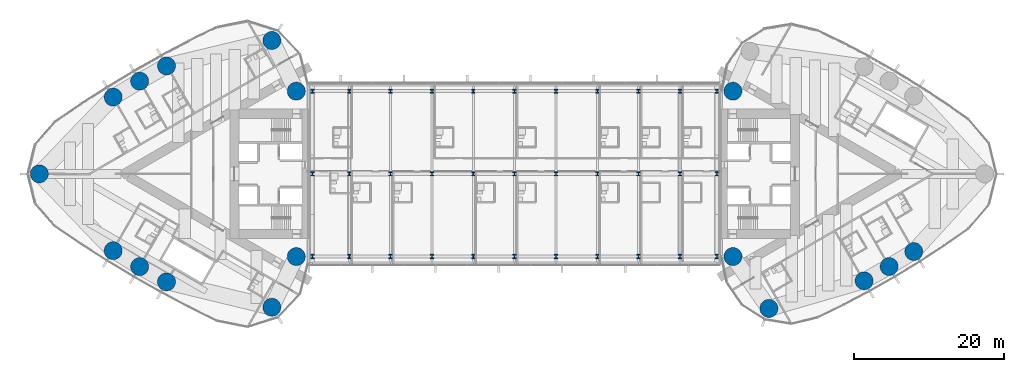
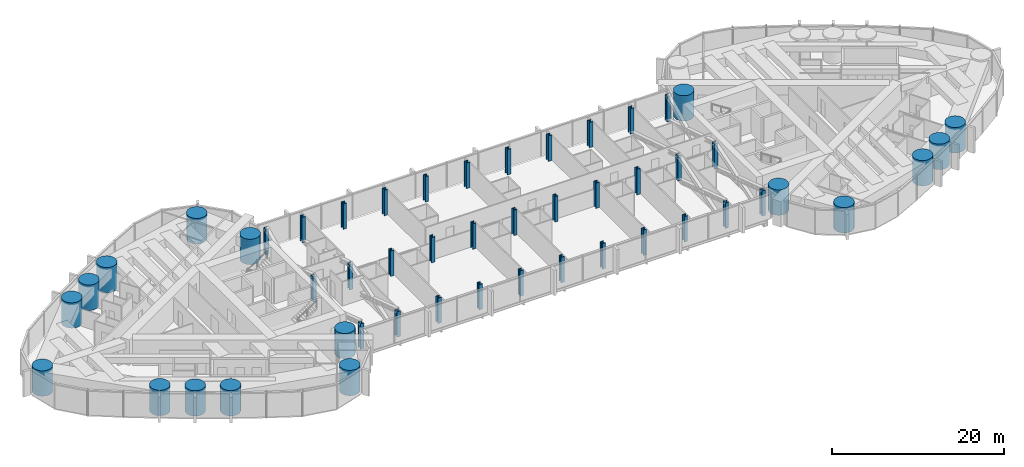
# One storey, part 1 of 23: 50 columns.
"""IFC4 building model written with IfcOpenShell, lengths in metres."""

from ifc_helpers import new_model, si_unit, direction, frame, origin, origin_2d, place, context, subcontext, project, spatial, circle, i_section, extrude, material, material_profile, profile_set, type_object, element, save


model = new_model("IFC4")

# Units and contexts
model_context = context("Model", 3, precision=1e-05, world=origin(), true_north=direction((0.0, 1.0)))
body_context = subcontext(model_context, "Body", "Model", "MODEL_VIEW")
ifc_project = project(units=[si_unit("LENGTHUNIT", "METRE"), si_unit("AREAUNIT", "SQUARE_METRE"), si_unit("VOLUMEUNIT", "CUBIC_METRE"), si_unit("PLANEANGLEUNIT", "RADIAN"), si_unit("MASSUNIT", "GRAM", prefix="KILO")], contexts=[model_context])

# Site, building, storey
site_placement = place(None, origin())
site = spatial("IfcSite", under=ifc_project, at=site_placement, CompositionType="ELEMENT")
building_placement = place(site_placement, origin())
building = spatial("IfcBuilding", under=site, at=building_placement, Name="Lancet Gate Hotel", CompositionType="ELEMENT")
storey_placement = place(building_placement, frame((0.0, 0.0, 240.5)))
storey = spatial("IfcBuildingStorey", under=building, at=storey_placement, Name="L64", CompositionType="ELEMENT", Elevation=240.5)

# Columns
ifc_material_1 = material(Name="Steel S460", Category="steel")
ifc_material_profile_1 = material_profile(ifc_material_1, i_section(OverallWidth=0.447998046875, OverallDepth=0.550048828125, WebThickness=0.072021484375, FlangeThickness=0.114990234375, FilletRadius=0.02001953125, at=origin_2d()), Name="HD 400x990")
ifc_profile_set_1 = profile_set([ifc_material_profile_1], Name="Steel S460")
column_type_1 = type_object("IfcColumnType", Name="Block column HD 400x990", PredefinedType="COLUMN", material=ifc_profile_set_1)
for number, where, z_axis, x_axis, name in (
    (1, (-26.89990234375, -11.0, 0.0), (0.0, 0.0, 1.0), (1.0, 0.0, 0.0), "Block column S0 L64"),
    (2, (-22.0, -11.0, 0.0), (0.0, 0.0, 1.0), (1.0, 0.0, 0.0), "Block column S1 L64"),
    (3, (-16.5, -11.0, 0.0), (0.0, 0.0, 1.0), (1.0, 0.0, 0.0), "Block column S2 L64"),
    (4, (-11.0, -11.0, 0.0), (0.0, 0.0, 1.0), (1.0, 0.0, 0.0), "Block column S3 L64"),
    (5, (-5.5, -11.0, 0.0), (0.0, 0.0, 1.0), (1.0, 0.0, 0.0), "Block column S4 L64"),
    (6, (0.0, -11.0, 0.0), (0.0, 0.0, 1.0), (1.0, 0.0, 0.0), "Block column S5 L64"),
    (7, (5.5, -11.0, 0.0), (0.0, 0.0, 1.0), (1.0, 0.0, 0.0), "Block column S6 L64"),
    (8, (11.0, -11.0, 0.0), (0.0, 0.0, 1.0), (1.0, 0.0, 0.0), "Block column S7 L64"),
    (9, (16.5, -11.0, 0.0), (0.0, 0.0, 1.0), (1.0, 0.0, 0.0), "Block column S8 L64"),
    (10, (22.0, -11.0, 0.0), (0.0, 0.0, 1.0), (1.0, 0.0, 0.0), "Block column S9 L64"),
    (11, (26.89990234375, -11.0, 0.0), (0.0, 0.0, 1.0), (1.0, 0.0, 0.0), "Block column S10 L64"),
    (12, (-26.89990234375, 0.0, 0.0), (0.0, 0.0, 1.0), (1.0, 0.0, 0.0), "Block column M0 L64"),
    (13, (-22.0, 0.0, 0.0), (0.0, 0.0, 1.0), (1.0, 0.0, 0.0), "Block column M1 L64"),
    (14, (-16.5, 0.0, 0.0), (0.0, 0.0, 1.0), (1.0, 0.0, 0.0), "Block column M2 L64"),
    (15, (-11.0, 0.0, 0.0), (0.0, 0.0, 1.0), (1.0, 0.0, 0.0), "Block column M3 L64"),
    (16, (-5.5, 0.0, 0.0), (0.0, 0.0, 1.0), (1.0, 0.0, 0.0), "Block column M4 L64"),
    (17, (0.0, 0.0, 0.0), (0.0, 0.0, 1.0), (1.0, 0.0, 0.0), "Block column M5 L64"),
    (18, (5.5, 0.0, 0.0), (0.0, 0.0, 1.0), (1.0, 0.0, 0.0), "Block column M6 L64"),
    (19, (11.0, 0.0, 0.0), (0.0, 0.0, 1.0), (1.0, 0.0, 0.0), "Block column M7 L64"),
    (20, (16.5, 0.0, 0.0), (0.0, 0.0, 1.0), (1.0, 0.0, 0.0), "Block column M8 L64"),
    (21, (22.0, 0.0, 0.0), (0.0, 0.0, 1.0), (1.0, 0.0, 0.0), "Block column M9 L64"),
    (22, (26.89990234375, 0.0, 0.0), (0.0, 0.0, 1.0), (1.0, 0.0, 0.0), "Block column M10 L64"),
    (23, (-26.89990234375, 11.0, 0.0), (0.0, 0.0, 1.0), (1.0, 0.0, 0.0), "Block column N0 L64"),
    (24, (-22.0, 11.0, 0.0), (0.0, 0.0, 1.0), (1.0, 0.0, 0.0), "Block column N1 L64"),
    (25, (-16.5, 11.0, 0.0), (0.0, 0.0, 1.0), (1.0, 0.0, 0.0), "Block column N2 L64"),
    (26, (-11.0, 11.0, 0.0), (0.0, 0.0, 1.0), (1.0, 0.0, 0.0), "Block column N3 L64"),
    (27, (-5.5, 11.0, 0.0), (0.0, 0.0, 1.0), (1.0, 0.0, 0.0), "Block column N4 L64"),
    (28, (0.0, 11.0, 0.0), (0.0, 0.0, 1.0), (1.0, 0.0, 0.0), "Block column N5 L64"),
    (29, (5.5, 11.0, 0.0), (0.0, 0.0, 1.0), (1.0, 0.0, 0.0), "Block column N6 L64"),
    (30, (11.0, 11.0, 0.0), (0.0, 0.0, 1.0), (1.0, 0.0, 0.0), "Block column N7 L64"),
    (31, (16.5, 11.0, 0.0), (0.0, 0.0, 1.0), (1.0, 0.0, 0.0), "Block column N8 L64"),
    (32, (22.0, 11.0, 0.0), (0.0, 0.0, 1.0), (1.0, 0.0, 0.0), "Block column N9 L64"),
    (33, (26.89990234375, 11.0, 0.0), (0.0, 0.0, 1.0), (1.0, 0.0, 0.0), "Block column N10 L64"),
):
    element("IfcColumn", number, at=place(storey_placement, frame(where, z_axis=z_axis, x_axis=x_axis)), inside=storey, type_object=column_type_1, Name=name, PredefinedType="COLUMN", context=body_context, shape_type="SweptSolid", body=[
        extrude(i_section(OverallWidth=0.447998046875, OverallDepth=0.550048828125, WebThickness=0.072021484375, FlangeThickness=0.114990234375, FilletRadius=0.02001953125, at=origin_2d()), origin(), (0.0, 0.0, 1.0), 3.60009765625),
    ])
ifc_material_2 = material(Name="Concrete C50/60", Category="concrete")
ifc_material_profile_2 = material_profile(ifc_material_2, circle(Radius=1.199951171875, at=origin_2d()), Name="RC D2400")
ifc_profile_set_2 = profile_set([ifc_material_profile_2], Name="Concrete C50/60")
column_type_2 = type_object("IfcColumnType", Name="Perimeter column RC D2400", PredefinedType="COLUMN", material=ifc_profile_set_2)
for number, where, z_axis, x_axis, name in (
    (34, (-63.234375, 0.0, 0.0), (0.0, 0.0, 1.0), (1.0, 0.0, 0.0), "T1 column CA L64"),
    (35, (-32.301025390625, -17.745361328125, 0.0), (0.0, 0.0, 1.0), (1.0, 0.0, 0.0), "T1 column CN L64"),
    (36, (-32.301025390625, 17.745361328125, 0.0), (0.0, 0.0, 1.0), (1.0, 0.0, 0.0), "T1 column CS L64"),
    (37, (-29.050048828125, -11.0, 0.0), (0.0, 0.0, 1.0), (1.0, 0.0, 0.0), "T1 column IN L64"),
    (38, (-29.050048828125, 11.0, 0.0), (0.0, 0.0, 1.0), (1.0, 0.0, 0.0), "T1 column IS L64"),
    (39, (-53.40771484375, -10.218994140625, 0.0), (0.0, 0.0, 1.0), (1.0, 0.0, 0.0), "T1 column ON1 L64"),
    (40, (-49.89013671875, -12.340087890625, 0.0), (0.0, 0.0, 1.0), (1.0, 0.0, 0.0), "T1 column ON2 L64"),
    (41, (-46.316650390625, -14.365478515625, 0.0), (0.0, 0.0, 1.0), (1.0, 0.0, 0.0), "T1 column ON3 L64"),
    (42, (-46.316650390625, 14.365478515625, 0.0), (0.0, 0.0, 1.0), (1.0, 0.0, 0.0), "T1 column OS1 L64"),
    (43, (-49.89013671875, 12.340087890625, 0.0), (0.0, 0.0, 1.0), (1.0, 0.0, 0.0), "T1 column OS2 L64"),
    (44, (-53.40771484375, 10.218994140625, 0.0), (0.0, 0.0, 1.0), (1.0, 0.0, 0.0), "T1 column OS3 L64"),
    (45, (33.837158203125, -17.906005859375, 0.0), (0.0, 0.0, 1.0), (1.0, 0.0, 0.0), "T2 column CS L64"),
    (46, (29.050048828125, 11.0, 0.0), (0.0, 0.0, 1.0), (1.0, 0.0, 0.0), "T2 column IN L64"),
    (47, (29.050048828125, -11.0, 0.0), (0.0, 0.0, 1.0), (1.0, 0.0, 0.0), "T2 column IS L64"),
    (48, (46.499267578125, -14.2255859375, 0.0), (0.0, 0.0, 1.0), (1.0, 0.0, 0.0), "T2 column OS1 L64"),
    (49, (49.833984375, -12.331787109375, 0.0), (0.0, 0.0, 1.0), (1.0, 0.0, 0.0), "T2 column OS2 L64"),
    (50, (53.107666015625, -10.333984375, 0.0), (0.0, 0.0, 1.0), (1.0, 0.0, 0.0), "T2 column OS3 L64"),
):
    element("IfcColumn", number, at=place(storey_placement, frame(where, z_axis=z_axis, x_axis=x_axis)), inside=storey, type_object=column_type_2, Name=name, PredefinedType="COLUMN", context=body_context, shape_type="SweptSolid", body=[
        extrude(circle(Radius=1.199951171875, at=origin_2d()), origin(), (0.0, 0.0, 1.0), 3.60009765625),
    ])

save(model, "model.ifc")
